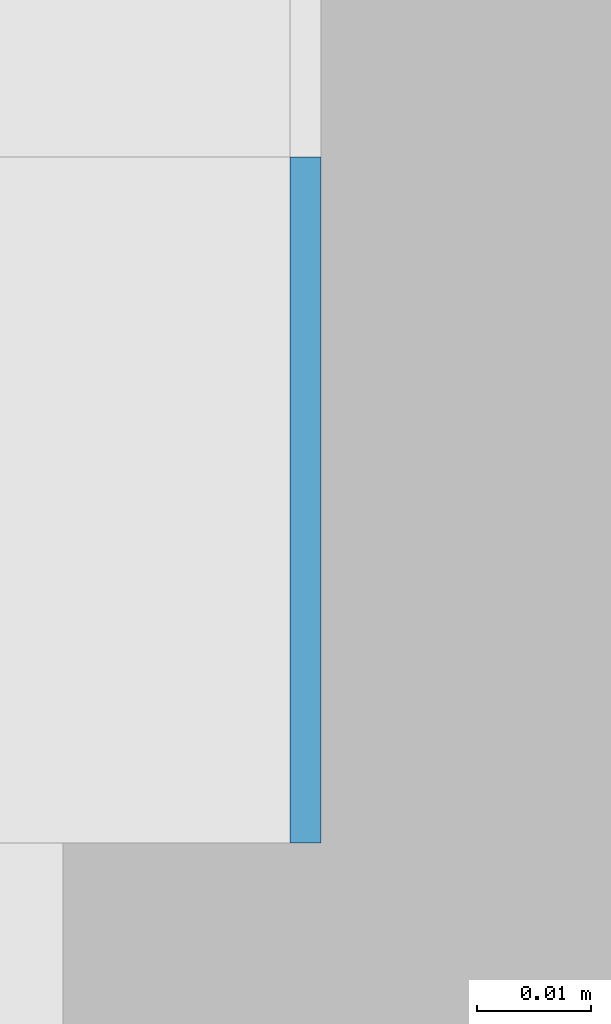
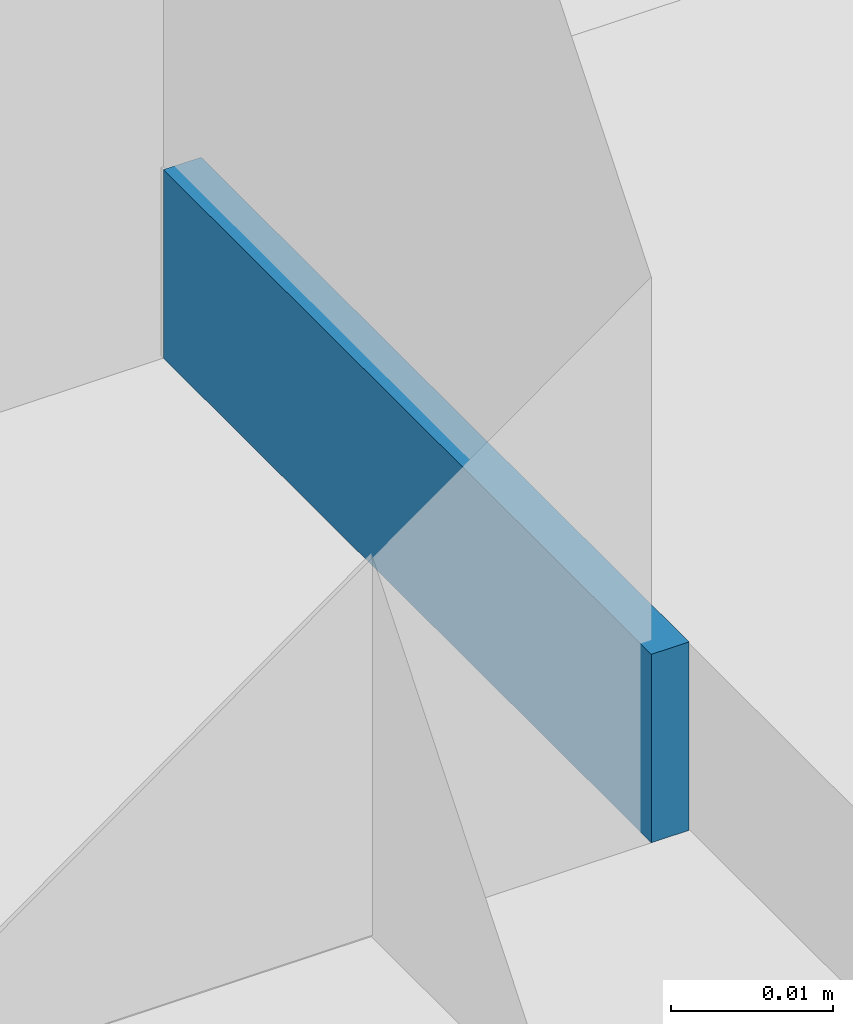
# One storey, part 332 of 646: 1 discrete accessory.
"""IFC4 building model written with IfcOpenShell, lengths in metres."""

import ifcopenshell
import ifcopenshell.guid

model = None  # the IFC model being written
_history = None  # IfcOwnerHistory: only IFC2X3 demands one
_inside = {}  # id of a spatial element -> (the spatial element, [elements in it])
_under = {}  # id of a project, library or spatial element -> (it, [spatial elements below it])
_declared = {}  # id of a project -> (the project, [libraries it declares])
_typed = {}  # id of a type object -> (the type object, [elements of that type])
_made_of = {}  # id of a material, layer set ... -> (it, [elements and type objects made of it])


def new_model(schema):
    """Start an empty IFC model of exactly this schema.

    Asked for "IFC4X3", IfcOpenShell would pick the latest addendum, in which some entities
    have other attributes; the version numbers below select the first issue.
    IFC2X3 requires an IfcOwnerHistory on every rooted entity: one is made here for all.
    """
    global model, _history
    if schema == "IFC4X3":
        model = ifcopenshell.file(schema_version=(4, 3, 0, 0))
    else:
        model = ifcopenshell.file(schema=schema)
    _inside.clear()
    _under.clear()
    _declared.clear()
    _typed.clear()
    _made_of.clear()
    _history = None
    if model.schema == "IFC2X3":
        org = make("IfcOrganization", Name="unknown")
        user = make(
            "IfcPersonAndOrganization",
            ThePerson=make("IfcPerson", FamilyName="unknown"),
            TheOrganization=org,
        )
        app = make(
            "IfcApplication",
            ApplicationDeveloper=org,
            Version="unknown",
            ApplicationFullName="unknown",
            ApplicationIdentifier="unknown",
        )
        _history = make(
            "IfcOwnerHistory",
            OwningUser=user,
            OwningApplication=app,
            ChangeAction="ADDED",
            CreationDate=0,
        )
    return model


def make(cls, **values):
    """One entity of the class cls with the attributes given. An attribute that is None is left unset."""
    return model.create_entity(
        cls, **{name: value for name, value in values.items() if value is not None}
    )


def rooted(cls, **values):
    """An entity with a GlobalId (a new one), such as an element, a storey or a relation."""
    return make(cls, GlobalId=ifcopenshell.guid.new(), OwnerHistory=_history, **values)


def si_unit(unit_type, name, prefix=None):
    """IfcSIUnit, for example si_unit("LENGTHUNIT", "METRE", prefix="MILLI")."""
    return make("IfcSIUnit", UnitType=unit_type, Prefix=prefix, Name=name)


def assignment(units):
    """IfcUnitAssignment: the units of a project."""
    return None if units is None else make("IfcUnitAssignment", Units=units)


def point(xyz):
    """IfcCartesianPoint."""
    return None if xyz is None else make("IfcCartesianPoint", Coordinates=xyz)


def direction(xyz):
    """IfcDirection."""
    return None if xyz is None else make("IfcDirection", DirectionRatios=xyz)


def frame(location, z_axis=None, x_axis=None):
    """IfcAxis2Placement3D, a coordinate frame: its origin and axes. An axis left out is left unset."""
    return make(
        "IfcAxis2Placement3D",
        Location=point(location),
        Axis=direction(z_axis),
        RefDirection=direction(x_axis),
    )


def frame_2d(location, x_axis=None):
    """IfcAxis2Placement2D, a coordinate frame in the plane: its origin and x axis."""
    return make(
        "IfcAxis2Placement2D", Location=point(location), RefDirection=direction(x_axis)
    )


def origin():
    """The frame at (0, 0, 0) with its axes left unset."""
    return frame((0.0, 0.0, 0.0))


def origin_2d():
    """The frame at (0, 0) in the plane with its x axis left unset."""
    return frame_2d((0.0, 0.0))


def place(relative_to, where):
    """IfcLocalPlacement: puts the frame where relative to a parent placement (None: the world)."""
    return make(
        "IfcLocalPlacement", PlacementRelTo=relative_to, RelativePlacement=where
    )


def context(
    kind, dimensions, precision=None, world=None, true_north=None, identifier=None
):
    """IfcGeometricRepresentationContext, for example the 3D "Model" context."""
    return make(
        "IfcGeometricRepresentationContext",
        ContextIdentifier=identifier,
        ContextType=kind,
        CoordinateSpaceDimension=dimensions,
        Precision=precision,
        WorldCoordinateSystem=world,
        TrueNorth=true_north,
    )


def subcontext(parent, identifier, kind, view, scale=None):
    """IfcGeometricRepresentationSubContext, for example "Body" below "Model"."""
    return make(
        "IfcGeometricRepresentationSubContext",
        ContextIdentifier=identifier,
        ContextType=kind,
        ParentContext=parent,
        TargetScale=scale,
        TargetView=view,
    )


def project(units=None, contexts=None):
    """IfcProject with its units and contexts."""
    return rooted(
        "IfcProject",
        Name="project",
        RepresentationContexts=contexts,
        UnitsInContext=assignment(units),
    )


def spatial(cls, under=None, at=None, **own):
    """A site, building, storey or space (cls), placed at a placement, below another one or the project."""
    s = rooted(cls, ObjectPlacement=at, **own)
    if under is not None:
        _under.setdefault(under.id(), (under, []))[1].append(s)
    return s


def profile(cls, at=None, kind="AREA", **sizes):
    """A parametric profile (cls). Its sizes go by their IFC names, for example OverallWidth=200.0."""
    return make(cls, ProfileType=kind, Position=at, **sizes)


def rectangle(**sizes):
    """IfcRectangleProfileDef."""
    return profile("IfcRectangleProfileDef", **sizes)


def extrude(swept, where, along, depth):
    """IfcExtrudedAreaSolid: the profile swept, set in the frame where, extruded along a direction by depth."""
    return make(
        "IfcExtrudedAreaSolid",
        SweptArea=swept,
        Position=where,
        ExtrudedDirection=direction(along),
        Depth=depth,
    )


def shape(context_of_items, identifier, shape_type, items):
    """IfcShapeRepresentation: the items that make up one representation, for example the "Body"."""
    return make(
        "IfcShapeRepresentation",
        ContextOfItems=context_of_items,
        RepresentationIdentifier=identifier,
        RepresentationType=shape_type,
        Items=items,
    )


def material(Name=None, Category=None):
    """IfcMaterial."""
    return make("IfcMaterial", Name=Name, Category=Category)


def made_of(thing, what):
    """Note that an element or type object is made of a material, layer set ...; save() writes the relation."""
    if what is not None:
        _made_of.setdefault(what.id(), (what, []))[1].append(thing)
    return thing


def type_object(cls, material=None, **own):
    """A type object (cls), such as IfcWallType, which elements share."""
    return made_of(rooted(cls, **own), material)


def element(
    cls,
    number,
    at=None,
    inside=None,
    cuts=None,
    type_object=None,
    material=None,
    context=None,
    identifier="Body",
    shape_type=None,
    held_by="IfcProductDefinitionShape",
    body=None,
    shapes=None,
    **own,
):
    """One element of the class cls, such as IfcWall. Its Tag is "e" and its number.

    at: its placement. inside: the storey or other place that contains it. cuts: it is an
    opening in that element (IfcRelVoidsElement). A single representation is given by context,
    identifier, shape_type and body (its items); several are given by shapes. held_by: the class
    of the entity that holds the representations. save() writes the other relations.
    """
    e = rooted(cls, Tag="e%d" % number, ObjectPlacement=at, **own)
    if body is not None:
        shapes = [shape(context, identifier, shape_type, body)]
    if shapes is not None:
        e.Representation = make(held_by, Representations=shapes)
    if inside is not None:
        _inside.setdefault(inside.id(), (inside, []))[1].append(e)
    if cuts is not None:
        rooted(
            "IfcRelVoidsElement", RelatingBuildingElement=cuts, RelatedOpeningElement=e
        )
    if type_object is not None:
        _typed.setdefault(type_object.id(), (type_object, []))[1].append(e)
    return made_of(e, material)


def aggregate(whole, parts):
    """IfcRelAggregates: a whole, such as a stair, and the parts it consists of."""
    return rooted("IfcRelAggregates", RelatingObject=whole, RelatedObjects=parts)


def save(model, path):
    """Write the relations noted so far, then the file.

    IfcRelAggregates (storeys below a building ...), IfcRelContainedInSpatialStructure (elements
    in a storey), IfcRelDefinesByType, IfcRelAssociatesMaterial and IfcRelDeclares: one each for
    every whole, place, type object, material and project.
    """
    for whole, parts in _under.values():
        aggregate(whole, parts)
    for where, things in _inside.values():
        rooted(
            "IfcRelContainedInSpatialStructure",
            RelatedElements=things,
            RelatingStructure=where,
        )
    for kind, things in _typed.values():
        rooted("IfcRelDefinesByType", RelatedObjects=things, RelatingType=kind)
    for what, things in _made_of.values():
        rooted("IfcRelAssociatesMaterial", RelatedObjects=things, RelatingMaterial=what)
    for by, libraries in _declared.values():
        rooted("IfcRelDeclares", RelatingContext=by, RelatedDefinitions=libraries)
    model.write(path)


model = new_model("IFC4")

# Units and contexts
model_context = context("Model", 3, precision=1e-05, world=origin(), true_north=direction((0.0, 1.0)))
body_context = subcontext(model_context, "Body", "Model", "MODEL_VIEW")
ifc_project = project(units=[si_unit("LENGTHUNIT", "METRE"), si_unit("AREAUNIT", "SQUARE_METRE"), si_unit("VOLUMEUNIT", "CUBIC_METRE"), si_unit("PLANEANGLEUNIT", "RADIAN"), si_unit("MASSUNIT", "GRAM", prefix="KILO")], contexts=[model_context])

# Site, building, storey
site_placement = place(None, origin())
site = spatial("IfcSite", under=ifc_project, at=site_placement, CompositionType="ELEMENT")
building_placement = place(site_placement, origin())
building = spatial("IfcBuilding", under=site, at=building_placement, Name="Silverbay Arena", CompositionType="ELEMENT")
storey_placement = place(building_placement, frame((0.0, 0.0, 33.5)))
storey = spatial("IfcBuildingStorey", under=building, at=storey_placement, Name="L05", CompositionType="ELEMENT", Elevation=33.5)

# Discrete accessory
ifc_material = material(Name="Steel S355", Category="steel")
discrete_accessory_type = type_object("IfcDiscreteAccessoryType", Name="Steel bracket plate", PredefinedType="BRACKET", material=ifc_material)
discrete_accessory_placement = place(storey_placement, frame((53.871337890625, 80.969970703125, 4.0), z_axis=(0.0, 0.0, 1.0), x_axis=(1.0, 0.0, 0.0)))
element("IfcDiscreteAccessory", 1, at=discrete_accessory_placement, inside=storey, type_object=discrete_accessory_type, Name="Curtain wall packing plate", PredefinedType="BRACKET", context=body_context, shape_type="SweptSolid", body=[
    extrude(rectangle(XDim=0.002685546875, YDim=0.06005859375, at=origin_2d()), origin(), (0.0, 0.0, 1.0), 0.01416015625),
])

save(model, "model.ifc")
